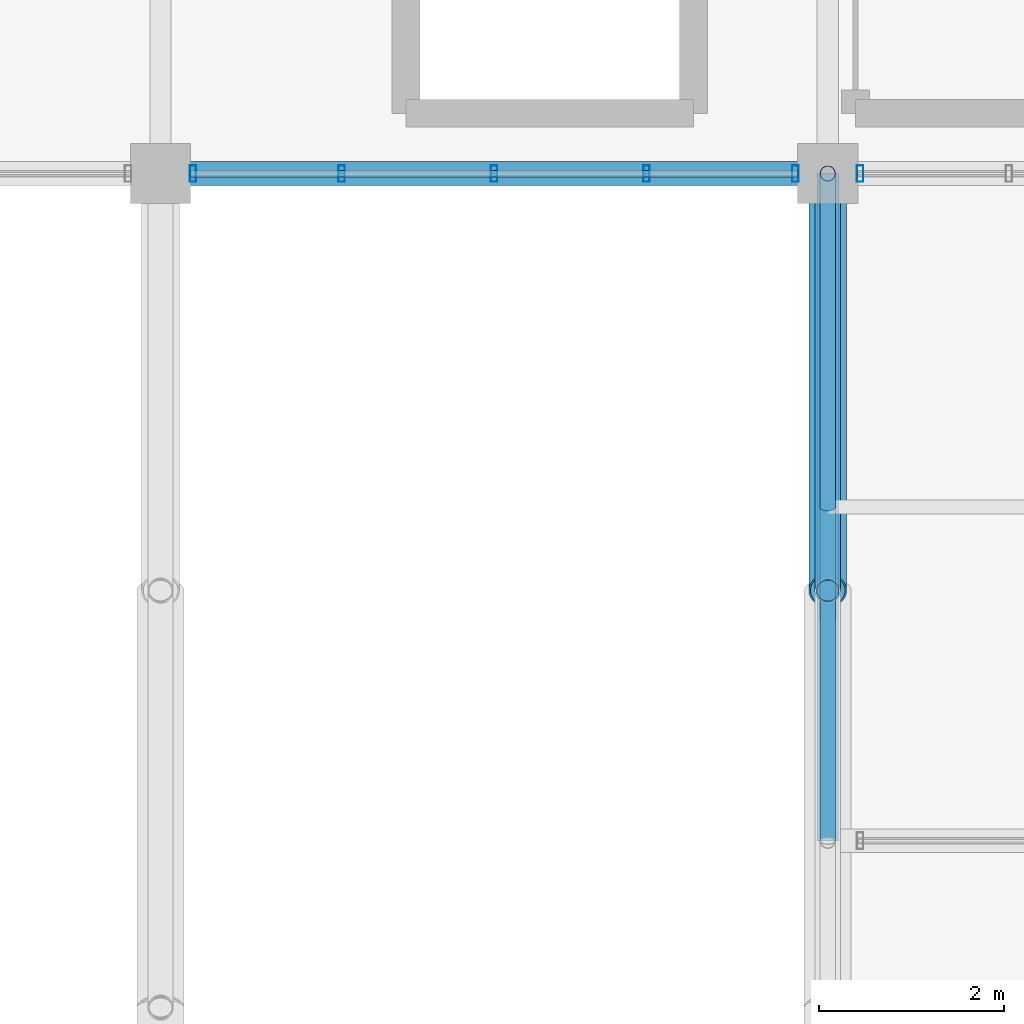
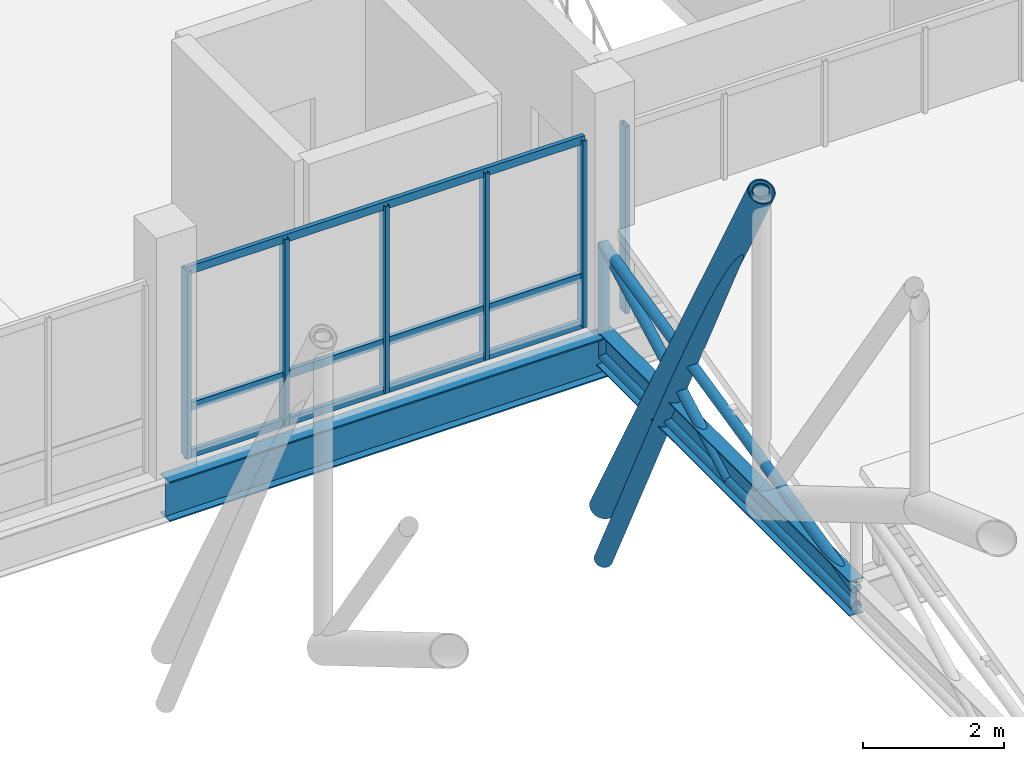
# One storey, part 46 of 144: 15 members, 2 beams, 2 elements without a shape of their own.
"""IFC4 building model written with IfcOpenShell, lengths in metres."""

from ifc_helpers import new_model, si_unit, direction, frame, origin, origin_2d, place, context, subcontext, project, spatial, hollow_rectangle, hollow_circle, i_section, extrude, material, material_profile, profile_set, type_object, element, aggregate, save


model = new_model("IFC4")

# Units and contexts
model_context = context("Model", 3, precision=1e-05, world=origin(), true_north=direction((0.0, 1.0)))
body_context = subcontext(model_context, "Body", "Model", "MODEL_VIEW")
ifc_project = project(units=[si_unit("LENGTHUNIT", "METRE"), si_unit("AREAUNIT", "SQUARE_METRE"), si_unit("VOLUMEUNIT", "CUBIC_METRE"), si_unit("PLANEANGLEUNIT", "RADIAN"), si_unit("MASSUNIT", "GRAM", prefix="KILO")], contexts=[model_context])

# Site, building, storey
site_placement = place(None, origin())
site = spatial("IfcSite", under=ifc_project, at=site_placement, CompositionType="ELEMENT")
building_placement = place(site_placement, origin())
building = spatial("IfcBuilding", under=site, at=building_placement, Name="Yarey Park Central Fire Station", CompositionType="ELEMENT")
storey_placement = place(building_placement, frame((0.0, 0.0, 10.199951171875)))
storey = spatial("IfcBuildingStorey", under=building, at=storey_placement, Name="L03", CompositionType="ELEMENT", Elevation=10.199951171875)

# Curtain wall, members
ifc_material_1 = material(Name="Anodized Aluminium Frame", Category="aluminium")
curtain_wall_type = type_object("IfcCurtainWallType", Name="ENV_CW_HQ_L03", PredefinedType="NOTDEFINED", material=ifc_material_1)
curtain_wall_1_placement = place(storey_placement, origin())
curtain_wall_1 = element("IfcCurtainWall", 1, at=curtain_wall_1_placement, inside=storey, type_object=curtain_wall_type, Name="CW_L03_V4_S_3", PredefinedType="NOTDEFINED")
ifc_material_profile_1 = material_profile(ifc_material_1, hollow_rectangle(XDim=0.070068359375, YDim=0.179931640625, WallThickness=0.00390625, at=origin_2d()), Name="ALU 180x70x4")
ifc_profile_set_1 = profile_set([ifc_material_profile_1], Name="Anodized Aluminium Frame")
member_type_1 = type_object("IfcMemberType", Name="ENV_CW_MULLION", PredefinedType="MULLION", material=ifc_profile_set_1)
member_1_placement = place(storey_placement, frame((129.949951171875, 93.60009765625, 0.0), z_axis=(0.0, 0.0, 1.0), x_axis=(1.0, 0.0, 0.0)))
member_1 = element("IfcMember", 2, at=member_1_placement, type_object=member_type_1, Name="CW_L03_V4_S_3_MUL1", PredefinedType="MULLION", context=body_context, shape_type="SweptSolid", body=[
    extrude(hollow_rectangle(XDim=0.070068359375, YDim=0.179931640625, WallThickness=0.00390625, at=origin_2d()), origin(), (0.0, 0.0, 1.0), 3.25),
])
member_2_placement = place(storey_placement, frame((131.554931640625, 93.60009765625, 0.0), z_axis=(0.0, 0.0, 1.0), x_axis=(1.0, 0.0, 0.0)))
member_2 = element("IfcMember", 3, at=member_2_placement, type_object=member_type_1, Name="CW_L03_V4_S_3_MUL2", PredefinedType="MULLION", context=body_context, shape_type="SweptSolid", body=[
    extrude(hollow_rectangle(XDim=0.070068359375, YDim=0.179931640625, WallThickness=0.00390625, at=origin_2d()), origin(), (0.0, 0.0, 1.0), 3.25),
])
member_3_placement = place(storey_placement, frame((133.199951171875, 93.60009765625, 0.0), z_axis=(0.0, 0.0, 1.0), x_axis=(1.0, 0.0, 0.0)))
member_3 = element("IfcMember", 4, at=member_3_placement, type_object=member_type_1, Name="CW_L03_V4_S_3_MUL3", PredefinedType="MULLION", context=body_context, shape_type="SweptSolid", body=[
    extrude(hollow_rectangle(XDim=0.070068359375, YDim=0.179931640625, WallThickness=0.00390625, at=origin_2d()), origin(), (0.0, 0.0, 1.0), 3.25),
])
member_4_placement = place(storey_placement, frame((134.844970703125, 93.60009765625, 0.0), z_axis=(0.0, 0.0, 1.0), x_axis=(1.0, 0.0, 0.0)))
member_4 = element("IfcMember", 5, at=member_4_placement, type_object=member_type_1, Name="CW_L03_V4_S_3_MUL4", PredefinedType="MULLION", context=body_context, shape_type="SweptSolid", body=[
    extrude(hollow_rectangle(XDim=0.070068359375, YDim=0.179931640625, WallThickness=0.00390625, at=origin_2d()), origin(), (0.0, 0.0, 1.0), 3.25),
])
member_5_placement = place(storey_placement, frame((136.449951171875, 93.60009765625, 0.0), z_axis=(0.0, 0.0, 1.0), x_axis=(1.0, 0.0, 0.0)))
member_5 = element("IfcMember", 6, at=member_5_placement, type_object=member_type_1, Name="CW_L03_V4_S_3_MUL5", PredefinedType="MULLION", context=body_context, shape_type="SweptSolid", body=[
    extrude(hollow_rectangle(XDim=0.070068359375, YDim=0.179931640625, WallThickness=0.00390625, at=origin_2d()), origin(), (0.0, 0.0, 1.0), 3.25),
])

# Curtain wall, member
curtain_wall_2_placement = place(storey_placement, origin())
curtain_wall_2 = element("IfcCurtainWall", 7, at=curtain_wall_2_placement, inside=storey, type_object=curtain_wall_type, Name="CW_L03_V4_S_4", PredefinedType="NOTDEFINED")
member_6_placement = place(storey_placement, frame((137.14990234375, 93.60009765625, 0.0), z_axis=(0.0, 0.0, 1.0), x_axis=(1.0, 0.0, 0.0)))
member_6 = element("IfcMember", 8, at=member_6_placement, type_object=member_type_1, Name="CW_L03_V4_S_4_MUL1", PredefinedType="MULLION", context=body_context, shape_type="SweptSolid", body=[
    extrude(hollow_rectangle(XDim=0.070068359375, YDim=0.179931640625, WallThickness=0.00390625, at=origin_2d()), origin(), (0.0, 0.0, 1.0), 3.25),
])
aggregate(curtain_wall_2, [member_6])

# Member
ifc_material_profile_2 = material_profile(ifc_material_1, hollow_rectangle(XDim=0.070068359375, YDim=0.139892578125, WallThickness=0.00390625, at=origin_2d()), Name="ALU 140x70x4")
ifc_profile_set_2 = profile_set([ifc_material_profile_2], Name="Anodized Aluminium Frame")
member_type_2 = type_object("IfcMemberType", Name="ENV_CW_TRANSOM", PredefinedType="USERDEFINED", material=ifc_profile_set_2)
member_7_placement = place(storey_placement, frame((129.925048828125, 93.60009765625, 0.025146484375), z_axis=(1.0, 0.0, 0.0), x_axis=(0.0, 1.0, 0.0)))
member_7 = element("IfcMember", 9, at=member_7_placement, type_object=member_type_2, Name="CW_L03_V4_S_3_TRN1", ObjectType="TRANSOM", PredefinedType="USERDEFINED", context=body_context, shape_type="SweptSolid", body=[
    extrude(hollow_rectangle(XDim=0.070068359375, YDim=0.139892578125, WallThickness=0.00390625, at=origin_2d()), origin(), (0.0, 0.0, 1.0), 6.550048828125),
])

member_8_placement = place(storey_placement, frame((129.925048828125, 93.60009765625, 0.85009765625), z_axis=(1.0, 0.0, 0.0), x_axis=(0.0, 1.0, 0.0)))
member_8 = element("IfcMember", 10, at=member_8_placement, type_object=member_type_2, Name="CW_L03_V4_S_3_TRN2", ObjectType="TRANSOM", PredefinedType="USERDEFINED", context=body_context, shape_type="SweptSolid", body=[
    extrude(hollow_rectangle(XDim=0.070068359375, YDim=0.139892578125, WallThickness=0.00390625, at=origin_2d()), origin(), (0.0, 0.0, 1.0), 6.550048828125),
])

member_9_placement = place(storey_placement, frame((129.925048828125, 93.60009765625, 3.22509765625), z_axis=(1.0, 0.0, 0.0), x_axis=(0.0, 1.0, 0.0)))
member_9 = element("IfcMember", 11, at=member_9_placement, type_object=member_type_2, Name="CW_L03_V4_S_3_TRN3", ObjectType="TRANSOM", PredefinedType="USERDEFINED", context=body_context, shape_type="SweptSolid", body=[
    extrude(hollow_rectangle(XDim=0.070068359375, YDim=0.139892578125, WallThickness=0.00390625, at=origin_2d()), origin(), (0.0, 0.0, 1.0), 6.550048828125),
])

aggregate(curtain_wall_1, [member_1, member_2, member_3, member_4, member_5, member_7, member_8, member_9])

# Beams
ifc_material_2 = material(Name="Steel ASTM A992 Gr. 50", Category="steel")
ifc_material_profile_3 = material_profile(ifc_material_2, i_section(OverallWidth=0.22900390625, OverallDepth=0.612060546875, WebThickness=0.011962890625, FlangeThickness=0.01953125, at=origin_2d()), Name="W610x125")
ifc_profile_set_3 = profile_set([ifc_material_profile_3], Name="Steel ASTM A992 Gr. 50")
beam_type_1 = type_object("IfcBeamType", Name="STR_BM_W610", PredefinedType="BEAM", material=ifc_profile_set_3)
beam_1_placement = place(storey_placement, frame((136.800048828125, 86.39990234375, -0.48583984375), z_axis=(0.0, 1.0, 0.0), x_axis=(-1.0, 0.0, 0.0)))
element("IfcBeam", 12, at=beam_1_placement, inside=storey, type_object=beam_type_1, Name="BMY L03 X1368 Y864", PredefinedType="BEAM", context=body_context, shape_type="SweptSolid", body=[
    extrude(i_section(OverallWidth=0.22900390625, OverallDepth=0.612060546875, WebThickness=0.011962890625, FlangeThickness=0.01953125, at=origin_2d()), origin(), (0.0, 0.0, 1.0), 7.2001953125),
])
ifc_material_profile_4 = material_profile(ifc_material_2, i_section(OverallWidth=0.256103515625, OverallDepth=0.693115234375, WebThickness=0.014404296875, FlangeThickness=0.023681640625, at=origin_2d()), Name="W690x170")
ifc_profile_set_4 = profile_set([ifc_material_profile_4], Name="Steel ASTM A992 Gr. 50")
beam_type_2 = type_object("IfcBeamType", Name="STR_BM_W690", PredefinedType="BEAM", material=ifc_profile_set_4)
beam_2_placement = place(storey_placement, frame((129.60009765625, 93.60009765625, -0.6064453125), z_axis=(1.0, 0.0, 0.0), x_axis=(0.0, 1.0, 0.0)))
element("IfcBeam", 13, at=beam_2_placement, inside=storey, type_object=beam_type_2, Name="BMX L03 Y936 X1296", PredefinedType="BEAM", context=body_context, shape_type="SweptSolid", body=[
    extrude(i_section(OverallWidth=0.256103515625, OverallDepth=0.693115234375, WebThickness=0.014404296875, FlangeThickness=0.023681640625, at=origin_2d()), origin(), (0.0, 0.0, 1.0), 7.199951171875),
])

# Members
ifc_material_3 = material(Name="Steel ASTM A500 Gr. C", Category="steel")
ifc_material_profile_5 = material_profile(ifc_material_3, hollow_circle(Radius=0.084228515625, WallThickness=0.008056640625, at=origin_2d()), Name="CHS 168.3x8")
ifc_profile_set_5 = profile_set([ifc_material_profile_5], Name="Steel ASTM A500 Gr. C")
member_type_3 = type_object("IfcMemberType", Name="STR_CHORD_CHS168", PredefinedType="CHORD", material=ifc_profile_set_5)
member_10_placement = place(storey_placement, frame((136.800048828125, 86.39990234375, -0.64990234375), z_axis=(0.0, 1.0, 0.0), x_axis=(-1.0, 0.0, 0.0)))
element("IfcMember", 14, at=member_10_placement, inside=storey, type_object=member_type_3, Name="SAW_T1_B7_BC", PredefinedType="CHORD", context=body_context, shape_type="SweptSolid", body=[
    extrude(hollow_circle(Radius=0.084228515625, WallThickness=0.008056640625, at=origin_2d()), origin(), (0.0, 0.0, 1.0), 7.2001953125),
])
member_11_placement = place(storey_placement, frame((136.800048828125, 86.39990234375, -0.349853515625), z_axis=(0.0, 0.975465753488, 0.220151229324), x_axis=(-1.0, 0.0, 0.0)))
element("IfcMember", 15, at=member_11_placement, inside=storey, type_object=member_type_3, Name="SAW_T1_B7_TC", PredefinedType="CHORD", context=body_context, shape_type="SweptSolid", body=[
    extrude(hollow_circle(Radius=0.084228515625, WallThickness=0.008056640625, at=origin_2d()), origin(), (0.0, 0.0, 1.0), 7.38134765625),
])
ifc_material_profile_6 = material_profile(ifc_material_3, hollow_circle(Radius=0.203125, WallThickness=0.01611328125, at=origin_2d()), Name="CHS 406.4x16")
ifc_profile_set_6 = profile_set([ifc_material_profile_6], Name="Steel ASTM A500 Gr. C")
member_type_4 = type_object("IfcMemberType", Name="STR_CHORD_CHS406", PredefinedType="CHORD", material=ifc_profile_set_6)
member_12_placement = place(storey_placement, frame((136.800048828125, 89.10009765625, 4.91748046875), z_axis=(0.0, 0.481210036658, -0.876605327738), x_axis=(-1.0, 0.0, 0.0)))
element("IfcMember", 16, at=member_12_placement, inside=storey, type_object=member_type_4, Name="Arched Roof Truss ART_12 Top Chord 8", PredefinedType="CHORD", context=body_context, shape_type="SweptSolid", body=[
    extrude(hollow_circle(Radius=0.203125, WallThickness=0.01611328125, at=origin_2d()), origin(), (0.0, 0.0, 1.0), 9.351318359375),
])
ifc_material_profile_7 = material_profile(ifc_material_3, hollow_circle(Radius=0.084228515625, WallThickness=0.008056640625, at=origin_2d()), Name="CHS 168.3x8")
ifc_profile_set_7 = profile_set([ifc_material_profile_7], Name="Steel ASTM A500 Gr. C")
member_type_5 = type_object("IfcMemberType", Name="STR_WEB_CHS168", PredefinedType="BRACE", material=ifc_profile_set_7)
member_13_placement = place(storey_placement, frame((136.800048828125, 93.60009765625, -0.64990234375), z_axis=(0.0, 0.0, 1.0), x_axis=(1.0, 0.0, 0.0)))
element("IfcMember", 17, at=member_13_placement, inside=storey, type_object=member_type_5, Name="SAW_T1_B7_VT", PredefinedType="BRACE", context=body_context, shape_type="SweptSolid", body=[
    extrude(hollow_circle(Radius=0.084228515625, WallThickness=0.008056640625, at=origin_2d()), origin(), (0.0, 0.0, 1.0), 1.925048828125),
])
member_14_placement = place(storey_placement, frame((136.800048828125, 90.0, -0.64990234375), z_axis=(0.0, 0.881844210833, 0.471540865483), x_axis=(-1.0, 0.0, 0.0)))
element("IfcMember", 18, at=member_14_placement, inside=storey, type_object=member_type_5, Name="SAW_T1_B7_DG", PredefinedType="BRACE", context=body_context, shape_type="SweptSolid", body=[
    extrude(hollow_circle(Radius=0.084228515625, WallThickness=0.008056640625, at=origin_2d()), origin(), (0.0, 0.0, 1.0), 4.08251953125),
])
ifc_material_profile_8 = material_profile(ifc_material_3, hollow_circle(Radius=0.136474609375, WallThickness=0.012451171875, at=origin_2d()), Name="CHS 273x12.5")
ifc_profile_set_8 = profile_set([ifc_material_profile_8], Name="Steel ASTM A500 Gr. C")
member_type_6 = type_object("IfcMemberType", Name="STR_WEB_CHS273", PredefinedType="BRACE", material=ifc_profile_set_8)
member_15_placement = place(storey_placement, frame((136.800048828125, 89.10009765625, 4.91748046875), z_axis=(0.0, 0.442587736107, -0.89672520643), x_axis=(-1.0, 0.0, 0.0)))
element("IfcMember", 19, at=member_15_placement, inside=storey, type_object=member_type_6, Name="Arched Roof Truss ART_12 Diagonal 8", PredefinedType="BRACE", context=body_context, shape_type="SweptSolid", body=[
    extrude(hollow_circle(Radius=0.136474609375, WallThickness=0.012451171875, at=origin_2d()), origin(), (0.0, 0.0, 1.0), 10.16748046875),
])

save(model, "model.ifc")
